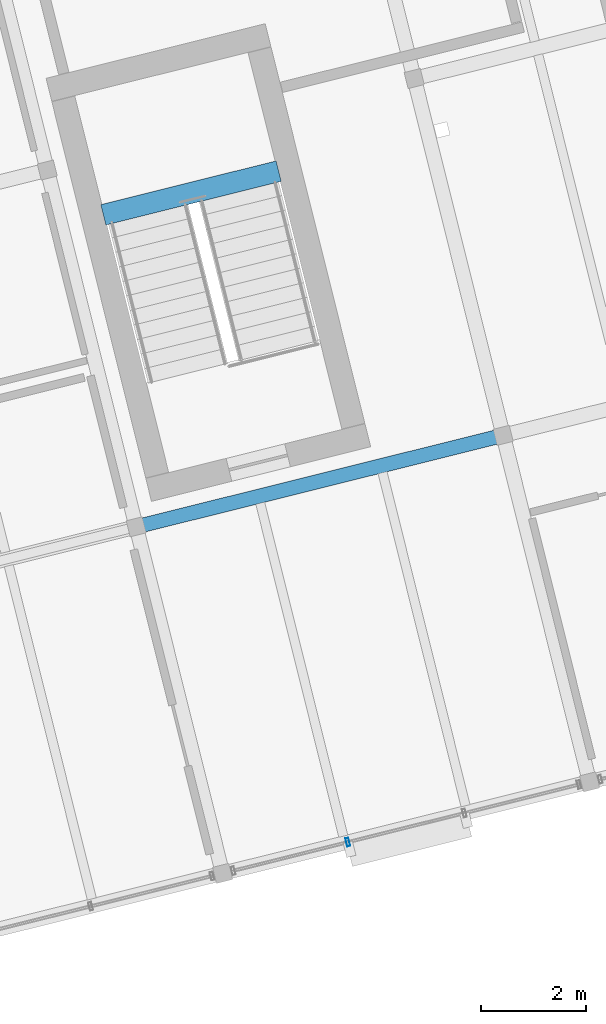
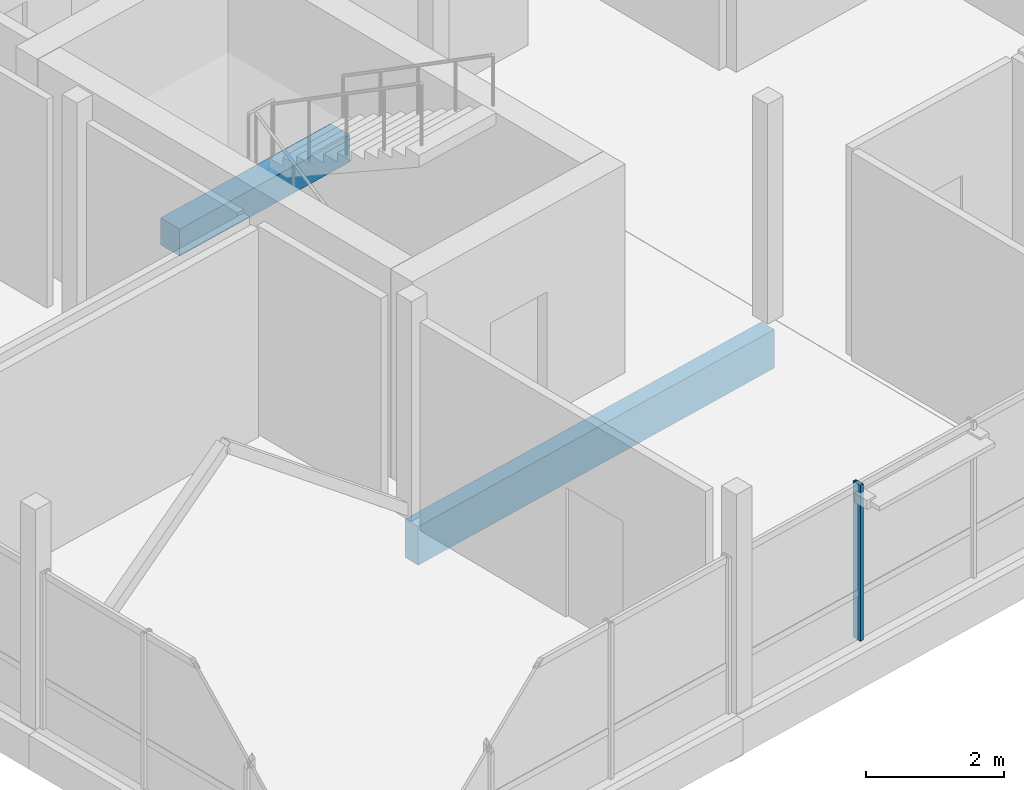
# One storey, part 5 of 25: 2 beams, 1 member, 1 element without a shape of its own.
"""IFC4 building model written with IfcOpenShell, lengths in metres."""

from ifc_helpers import new_model, si_unit, direction, frame, origin, origin_2d, place, context, subcontext, project, spatial, rectangle, hollow_rectangle, extrude, material, layer, layer_set, material_profile, profile_set, type_object, element, aggregate, save


model = new_model("IFC4")

# Units and contexts
model_context = context("Model", 3, precision=1e-05, world=origin(), true_north=direction((0.0, 1.0)))
body_context = subcontext(model_context, "Body", "Model", "MODEL_VIEW")
ifc_project = project(units=[si_unit("LENGTHUNIT", "METRE"), si_unit("AREAUNIT", "SQUARE_METRE"), si_unit("VOLUMEUNIT", "CUBIC_METRE"), si_unit("PLANEANGLEUNIT", "RADIAN"), si_unit("MASSUNIT", "GRAM", prefix="KILO")], contexts=[model_context])

# Site, building, storey
site_placement = place(None, origin())
site = spatial("IfcSite", under=ifc_project, at=site_placement, CompositionType="ELEMENT")
building_placement = place(site_placement, origin())
building = spatial("IfcBuilding", under=site, at=building_placement, Name="Meriwether Solvik Hall", CompositionType="ELEMENT")
storey_placement = place(building_placement, frame((0.0, 0.0, 53.39990234375)))
storey = spatial("IfcBuildingStorey", under=building, at=storey_placement, Name="L13", CompositionType="ELEMENT", Elevation=53.39990234375)

# Beams
ifc_material_1 = material(Name="Glulam Douglas-Fir 24F-V8 GL28h", Category="wood")
ifc_material_profile_1 = material_profile(ifc_material_1, rectangle(XDim=0.27294921875, YDim=0.68505859375, at=origin_2d()), Name="GLB-273X685")
ifc_profile_set_1 = profile_set([ifc_material_profile_1], Name="Glulam Douglas-Fir 24F-V8 GL28h")
beam_type_1 = type_object("IfcBeamType", Name="BM-GL-273X685", PredefinedType="BEAM", material=ifc_profile_set_1)
beam_1_placement = place(storey_placement, frame((74.3291015625, 49.63671875, -0.5224609375), z_axis=(0.970301855688, 0.241897310542, 0.0), x_axis=(-0.241897310542, 0.970301855688, 0.0)))
element("IfcBeam", 1, at=beam_1_placement, inside=storey, type_object=beam_type_1, Name="Tower Girder TB:T2-T3 (L13)", PredefinedType="BEAM", context=body_context, shape_type="SweptSolid", body=[
    extrude(rectangle(XDim=0.27294921875, YDim=0.68505859375, at=origin_2d()), origin(), (0.0, 0.0, 1.0), 7.2001953125),
])
ifc_material_2 = material(Name="Concrete C40/50", Category="concrete")
ifc_material_profile_2 = material_profile(ifc_material_2, rectangle(XDim=0.39990234375, YDim=0.47998046875, at=origin_2d()), Name="RCB-400X480")
ifc_profile_set_2 = profile_set([ifc_material_profile_2], Name="Concrete C40/50")
beam_type_2 = type_object("IfcBeamType", Name="BM-LND-RC-400X480", PredefinedType="BEAM", material=ifc_profile_set_2)
beam_2_placement = place(storey_placement, frame((73.70361328125, 55.57666015625, 1.510009765625), z_axis=(0.970288447449, 0.24195108751, 0.0), x_axis=(-0.24195108751, 0.970288447449, 0.0)))
element("IfcBeam", 2, at=beam_2_placement, inside=storey, type_object=beam_type_2, Name="Stair ST-01 Half-Landing Header Beam (L13)", PredefinedType="BEAM", context=body_context, shape_type="SweptSolid", body=[
    extrude(rectangle(XDim=0.39990234375, YDim=0.47998046875, at=origin_2d()), origin(), (0.0, 0.0, 1.0), 3.43994140625),
])

# Curtain wall, member
ifc_material_3 = material(Name="Thermally Broken Anodised Aluminium 6063-T6 and Low-E Glass", Category="aluminium")
ifc_layer = layer(ifc_material_3, 0.179931640625)
ifc_layer_set = layer_set([ifc_layer], Name="Thermally Broken Anodised Aluminium 6063-T6 and Low-E Glass")
curtain_wall_type = type_object("IfcCurtainWallType", Name="CW-UNIT-E", PredefinedType="USERDEFINED", material=ifc_layer_set)
curtain_wall_placement = place(storey_placement, origin())
curtain_wall = element("IfcCurtainWall", 3, at=curtain_wall_placement, inside=storey, type_object=curtain_wall_type, Name="Curtain Wall E0_B1 (L13)", ObjectType="UNITISED CURTAIN WALL", PredefinedType="USERDEFINED")
ifc_material_4 = material(Name="Anodised Aluminium 6063-T6", Category="aluminium")
ifc_material_profile_3 = material_profile(ifc_material_4, hollow_rectangle(XDim=0.06005859375, YDim=0.159912109375, WallThickness=0.00390625, at=origin_2d()), Name="CWM-60X160")
ifc_profile_set_3 = profile_set([ifc_material_profile_3], Name="Anodised Aluminium 6063-T6")
member_type = type_object("IfcMemberType", Name="CW-MUL-60X160", PredefinedType="MULLION", material=ifc_profile_set_3)
member_placement = place(storey_placement, frame((78.357666015625, 43.6328125, 0.0), z_axis=(0.0, 0.0, 1.0), x_axis=(-0.970295730764, -0.241921877598, 0.0)))
member = element("IfcMember", 4, at=member_placement, type_object=member_type, Name="Curtain Wall Mullion 3", PredefinedType="MULLION", context=body_context, shape_type="SweptSolid", body=[
    extrude(hollow_rectangle(XDim=0.06005859375, YDim=0.159912109375, WallThickness=0.00390625, at=origin_2d()), origin(), (0.0, 0.0, 1.0), 2.77001953125),
])
aggregate(curtain_wall, [member])

save(model, "model.ifc")
